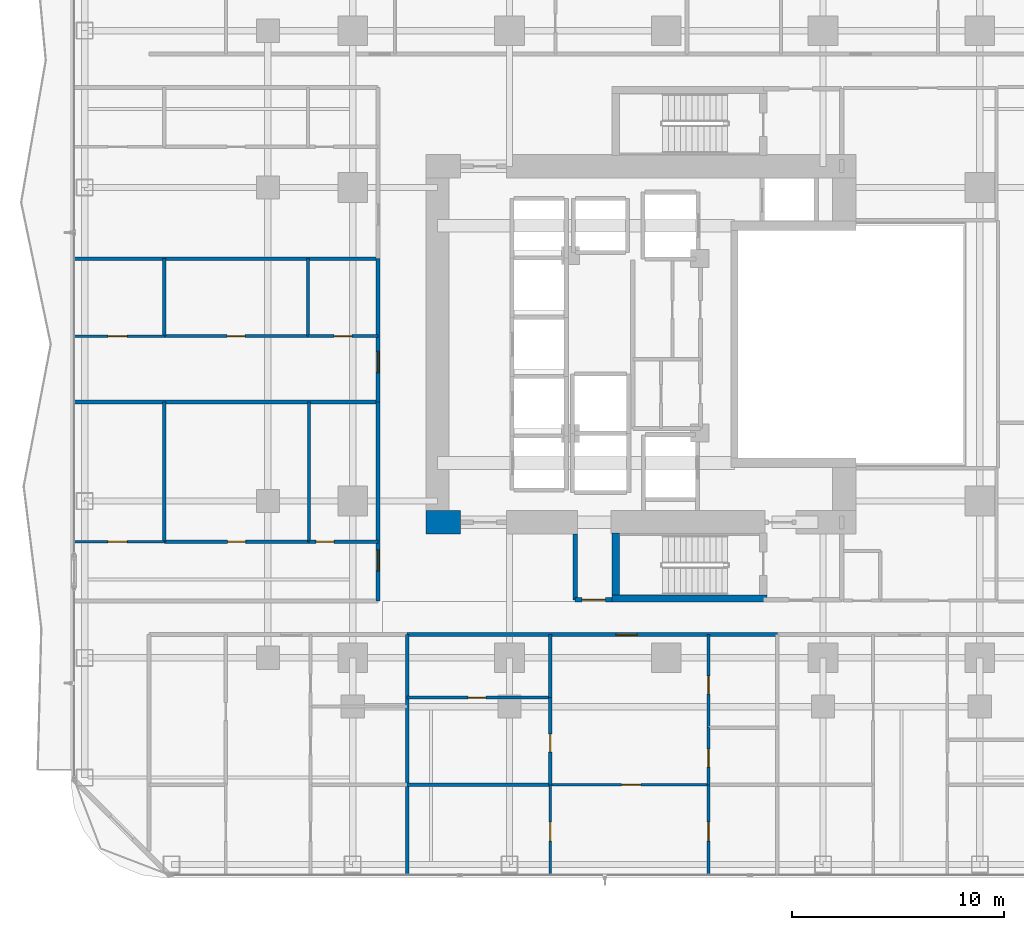
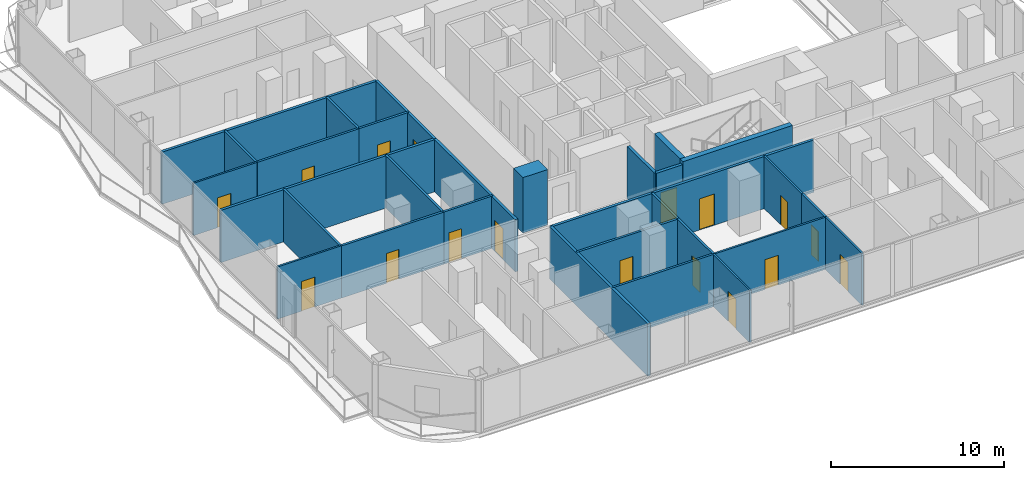
# One storey, part 20 of 30: 30 walls, 17 doors, 17 openings.
"""IFC4 building model written with IfcOpenShell, lengths in metres."""

import ifcopenshell
import ifcopenshell.guid

model = None  # the IFC model being written
_history = None  # IfcOwnerHistory: only IFC2X3 demands one
_inside = {}  # id of a spatial element -> (the spatial element, [elements in it])
_under = {}  # id of a project, library or spatial element -> (it, [spatial elements below it])
_declared = {}  # id of a project -> (the project, [libraries it declares])
_typed = {}  # id of a type object -> (the type object, [elements of that type])
_made_of = {}  # id of a material, layer set ... -> (it, [elements and type objects made of it])


def new_model(schema):
    """Start an empty IFC model of exactly this schema.

    Asked for "IFC4X3", IfcOpenShell would pick the latest addendum, in which some entities
    have other attributes; the version numbers below select the first issue.
    IFC2X3 requires an IfcOwnerHistory on every rooted entity: one is made here for all.
    """
    global model, _history
    if schema == "IFC4X3":
        model = ifcopenshell.file(schema_version=(4, 3, 0, 0))
    else:
        model = ifcopenshell.file(schema=schema)
    _inside.clear()
    _under.clear()
    _declared.clear()
    _typed.clear()
    _made_of.clear()
    _history = None
    if model.schema == "IFC2X3":
        org = make("IfcOrganization", Name="unknown")
        user = make(
            "IfcPersonAndOrganization",
            ThePerson=make("IfcPerson", FamilyName="unknown"),
            TheOrganization=org,
        )
        app = make(
            "IfcApplication",
            ApplicationDeveloper=org,
            Version="unknown",
            ApplicationFullName="unknown",
            ApplicationIdentifier="unknown",
        )
        _history = make(
            "IfcOwnerHistory",
            OwningUser=user,
            OwningApplication=app,
            ChangeAction="ADDED",
            CreationDate=0,
        )
    return model


def make(cls, **values):
    """One entity of the class cls with the attributes given. An attribute that is None is left unset."""
    return model.create_entity(
        cls, **{name: value for name, value in values.items() if value is not None}
    )


def rooted(cls, **values):
    """An entity with a GlobalId (a new one), such as an element, a storey or a relation."""
    return make(cls, GlobalId=ifcopenshell.guid.new(), OwnerHistory=_history, **values)


def si_unit(unit_type, name, prefix=None):
    """IfcSIUnit, for example si_unit("LENGTHUNIT", "METRE", prefix="MILLI")."""
    return make("IfcSIUnit", UnitType=unit_type, Prefix=prefix, Name=name)


def assignment(units):
    """IfcUnitAssignment: the units of a project."""
    return None if units is None else make("IfcUnitAssignment", Units=units)


def point(xyz):
    """IfcCartesianPoint."""
    return None if xyz is None else make("IfcCartesianPoint", Coordinates=xyz)


def direction(xyz):
    """IfcDirection."""
    return None if xyz is None else make("IfcDirection", DirectionRatios=xyz)


def frame(location, z_axis=None, x_axis=None):
    """IfcAxis2Placement3D, a coordinate frame: its origin and axes. An axis left out is left unset."""
    return make(
        "IfcAxis2Placement3D",
        Location=point(location),
        Axis=direction(z_axis),
        RefDirection=direction(x_axis),
    )


def frame_2d(location, x_axis=None):
    """IfcAxis2Placement2D, a coordinate frame in the plane: its origin and x axis."""
    return make(
        "IfcAxis2Placement2D", Location=point(location), RefDirection=direction(x_axis)
    )


def origin():
    """The frame at (0, 0, 0) with its axes left unset."""
    return frame((0.0, 0.0, 0.0))


def place(relative_to, where):
    """IfcLocalPlacement: puts the frame where relative to a parent placement (None: the world)."""
    return make(
        "IfcLocalPlacement", PlacementRelTo=relative_to, RelativePlacement=where
    )


def context(
    kind, dimensions, precision=None, world=None, true_north=None, identifier=None
):
    """IfcGeometricRepresentationContext, for example the 3D "Model" context."""
    return make(
        "IfcGeometricRepresentationContext",
        ContextIdentifier=identifier,
        ContextType=kind,
        CoordinateSpaceDimension=dimensions,
        Precision=precision,
        WorldCoordinateSystem=world,
        TrueNorth=true_north,
    )


def subcontext(parent, identifier, kind, view, scale=None):
    """IfcGeometricRepresentationSubContext, for example "Body" below "Model"."""
    return make(
        "IfcGeometricRepresentationSubContext",
        ContextIdentifier=identifier,
        ContextType=kind,
        ParentContext=parent,
        TargetScale=scale,
        TargetView=view,
    )


def project(units=None, contexts=None):
    """IfcProject with its units and contexts."""
    return rooted(
        "IfcProject",
        Name="project",
        RepresentationContexts=contexts,
        UnitsInContext=assignment(units),
    )


def spatial(cls, under=None, at=None, **own):
    """A site, building, storey or space (cls), placed at a placement, below another one or the project."""
    s = rooted(cls, ObjectPlacement=at, **own)
    if under is not None:
        _under.setdefault(under.id(), (under, []))[1].append(s)
    return s


def profile(cls, at=None, kind="AREA", **sizes):
    """A parametric profile (cls). Its sizes go by their IFC names, for example OverallWidth=200.0."""
    return make(cls, ProfileType=kind, Position=at, **sizes)


def rectangle(**sizes):
    """IfcRectangleProfileDef."""
    return profile("IfcRectangleProfileDef", **sizes)


def extrude(swept, where, along, depth):
    """IfcExtrudedAreaSolid: the profile swept, set in the frame where, extruded along a direction by depth."""
    return make(
        "IfcExtrudedAreaSolid",
        SweptArea=swept,
        Position=where,
        ExtrudedDirection=direction(along),
        Depth=depth,
    )


def shape(context_of_items, identifier, shape_type, items):
    """IfcShapeRepresentation: the items that make up one representation, for example the "Body"."""
    return make(
        "IfcShapeRepresentation",
        ContextOfItems=context_of_items,
        RepresentationIdentifier=identifier,
        RepresentationType=shape_type,
        Items=items,
    )


def material(Name=None, Category=None):
    """IfcMaterial."""
    return make("IfcMaterial", Name=Name, Category=Category)


def layer(
    of_material, thickness, ventilated=None, Name=None, Category=None, Priority=None
):
    """IfcMaterialLayer: one layer of a wall or slab, of a material (None: an air gap)."""
    return make(
        "IfcMaterialLayer",
        Material=of_material,
        LayerThickness=thickness,
        IsVentilated=ventilated,
        Name=Name,
        Category=Category,
        Priority=Priority,
    )


def layer_set(layers, Name=None):
    """IfcMaterialLayerSet."""
    return make("IfcMaterialLayerSet", MaterialLayers=layers, LayerSetName=Name)


def made_of(thing, what):
    """Note that an element or type object is made of a material, layer set ...; save() writes the relation."""
    if what is not None:
        _made_of.setdefault(what.id(), (what, []))[1].append(thing)
    return thing


def type_object(cls, material=None, **own):
    """A type object (cls), such as IfcWallType, which elements share."""
    return made_of(rooted(cls, **own), material)


def element(
    cls,
    number,
    at=None,
    inside=None,
    cuts=None,
    type_object=None,
    material=None,
    context=None,
    identifier="Body",
    shape_type=None,
    held_by="IfcProductDefinitionShape",
    body=None,
    shapes=None,
    **own,
):
    """One element of the class cls, such as IfcWall. Its Tag is "e" and its number.

    at: its placement. inside: the storey or other place that contains it. cuts: it is an
    opening in that element (IfcRelVoidsElement). A single representation is given by context,
    identifier, shape_type and body (its items); several are given by shapes. held_by: the class
    of the entity that holds the representations. save() writes the other relations.
    """
    e = rooted(cls, Tag="e%d" % number, ObjectPlacement=at, **own)
    if body is not None:
        shapes = [shape(context, identifier, shape_type, body)]
    if shapes is not None:
        e.Representation = make(held_by, Representations=shapes)
    if inside is not None:
        _inside.setdefault(inside.id(), (inside, []))[1].append(e)
    if cuts is not None:
        rooted(
            "IfcRelVoidsElement", RelatingBuildingElement=cuts, RelatedOpeningElement=e
        )
    if type_object is not None:
        _typed.setdefault(type_object.id(), (type_object, []))[1].append(e)
    return made_of(e, material)


def fill(opening, filler):
    """IfcRelFillsElement: the door or window that sits in an opening."""
    return rooted(
        "IfcRelFillsElement",
        RelatingOpeningElement=opening,
        RelatedBuildingElement=filler,
    )


def aggregate(whole, parts):
    """IfcRelAggregates: a whole, such as a stair, and the parts it consists of."""
    return rooted("IfcRelAggregates", RelatingObject=whole, RelatedObjects=parts)


def save(model, path):
    """Write the relations noted so far, then the file.

    IfcRelAggregates (storeys below a building ...), IfcRelContainedInSpatialStructure (elements
    in a storey), IfcRelDefinesByType, IfcRelAssociatesMaterial and IfcRelDeclares: one each for
    every whole, place, type object, material and project.
    """
    for whole, parts in _under.values():
        aggregate(whole, parts)
    for where, things in _inside.values():
        rooted(
            "IfcRelContainedInSpatialStructure",
            RelatedElements=things,
            RelatingStructure=where,
        )
    for kind, things in _typed.values():
        rooted("IfcRelDefinesByType", RelatedObjects=things, RelatingType=kind)
    for what, things in _made_of.values():
        rooted("IfcRelAssociatesMaterial", RelatedObjects=things, RelatingMaterial=what)
    for by, libraries in _declared.values():
        rooted("IfcRelDeclares", RelatingContext=by, RelatedDefinitions=libraries)
    model.write(path)


model = new_model("IFC4")

# Units and contexts
model_context = context("Model", 3, precision=1e-05, world=origin(), true_north=direction((0.0, 1.0)))
body_context = subcontext(model_context, "Body", "Model", "MODEL_VIEW")
ifc_project = project(units=[si_unit("LENGTHUNIT", "METRE"), si_unit("AREAUNIT", "SQUARE_METRE"), si_unit("VOLUMEUNIT", "CUBIC_METRE"), si_unit("PLANEANGLEUNIT", "RADIAN"), si_unit("MASSUNIT", "GRAM", prefix="KILO")], contexts=[model_context])

# Site, building, storey
site_placement = place(None, origin())
site = spatial("IfcSite", under=ifc_project, at=site_placement, CompositionType="ELEMENT")
building_placement = place(site_placement, origin())
building = spatial("IfcBuilding", under=site, at=building_placement, Name="Khorvyn Point Tower", CompositionType="ELEMENT")
storey_placement = place(building_placement, frame((0.0, 0.0, 57.89990234375)))
storey = spatial("IfcBuildingStorey", under=building, at=storey_placement, Name="L15", CompositionType="ELEMENT", Elevation=57.89990234375)

# Wall, opening, door
ifc_material_1 = material(Name="Double acoustic gypsum on twin steel stud", Category="steel")
ifc_layer_1 = layer(ifc_material_1, 0.179931640625)
ifc_layer_set_1 = layer_set([ifc_layer_1], Name="Acoustic Double-Stud Apartment Demising Wall 180")
wall_type_1 = type_object("IfcWallType", Name="Acoustic Double-Stud Apartment Demising Wall 180", PredefinedType="PARTITIONING", material=ifc_layer_set_1)
wall_1_placement = place(storey_placement, frame((-12.22509765625, -13.699951171875, 0.0), z_axis=(0.0, 0.0, 1.0), x_axis=(1.0, 0.0, 0.0)))
wall_1 = element("IfcWall", 1, at=wall_1_placement, inside=storey, type_object=wall_type_1, Name="Wall", PredefinedType="PARTITIONING", context=body_context, shape_type="SweptSolid", body=[
    extrude(rectangle(XDim=17.467041015625, YDim=0.179931640625, at=frame_2d((8.7333984375, 0.0))), origin(), (0.0, 0.0, 1.0), 3.68017578125),
])
opening_1_placement = place(wall_1_placement, frame((9.84814453125, 0.0, 0.0)))
opening_1 = element("IfcOpeningElement", 2, at=opening_1_placement, cuts=wall_1, Name="Opening ID-AP60", PredefinedType="OPENING", context=body_context, shape_type="SweptSolid", body=[
    extrude(rectangle(XDim=1.0, YDim=2.199951171875, at=frame_2d((0.5, 1.10009765625))), frame((0.0, 0.099853515625, 0.0), z_axis=(0.0, -1.0, 0.0), x_axis=(1.0, 0.0, 0.0)), (0.0, 0.0, 1.0), 0.199951171875),
])
ifc_material_2 = material(Name="Engineered hardwood fire-rated leaf", Category="wood")
door_type_1 = type_object("IfcDoorType", Name="Acoustic Solid-Core Timber Apartment Entrance Door 1000x2200", OperationType="NOTDEFINED", PredefinedType="DOOR", material=ifc_material_2)
door_1_placement = place(opening_1_placement, origin())
door_1 = element("IfcDoor", 3, at=door_1_placement, inside=storey, type_object=door_type_1, Name="Door", OperationType="SINGLE_SWING_LEFT", OverallHeight=2.199951171875, OverallWidth=1.0, PredefinedType="DOOR", context=body_context, shape_type="SweptSolid", body=[
    extrude(rectangle(XDim=1.0, YDim=2.199951171875, at=frame_2d((0.5, 1.10009765625))), frame((0.0, 0.02490234375, 0.0), z_axis=(0.0, -1.0, 0.0), x_axis=(1.0, 0.0, 0.0)), (0.0, 0.0, 1.0), 0.050048828125),
])
fill(opening_1, door_1)

wall_2_placement = place(storey_placement, frame((-13.60009765625, -12.1201171875, 0.0), z_axis=(0.0, 0.0, 1.0), x_axis=(0.0, 1.0, 0.0)))
wall_2 = element("IfcWall", 4, at=wall_2_placement, inside=storey, type_object=wall_type_1, Name="Wall", PredefinedType="PARTITIONING", context=body_context, shape_type="SweptSolid", body=[
    extrude(rectangle(XDim=9.38916015625, YDim=0.179931640625, at=frame_2d((4.694580078125, 0.0))), origin(), (0.0, 0.0, 1.0), 3.68017578125),
])
opening_2_placement = place(wall_2_placement, frame((1.415283203125, 0.0, 0.0)))
opening_2 = element("IfcOpeningElement", 5, at=opening_2_placement, cuts=wall_2, Name="Opening ID-AP60", PredefinedType="OPENING", context=body_context, shape_type="SweptSolid", body=[
    extrude(rectangle(XDim=1.0, YDim=2.199951171875, at=frame_2d((0.5, 1.10009765625))), frame((0.0, 0.099853515625, 0.0), z_axis=(0.0, -1.0, 0.0), x_axis=(1.0, 0.0, 0.0)), (0.0, 0.0, 1.0), 0.199951171875),
])
door_2_placement = place(opening_2_placement, origin())
door_2 = element("IfcDoor", 6, at=door_2_placement, inside=storey, type_object=door_type_1, Name="Door", OperationType="SINGLE_SWING_LEFT", OverallHeight=2.199951171875, OverallWidth=1.0, PredefinedType="DOOR", context=body_context, shape_type="SweptSolid", body=[
    extrude(rectangle(XDim=1.0, YDim=2.199951171875, at=frame_2d((0.5, 1.10009765625))), frame((0.0, 0.02490234375, 0.0), z_axis=(0.0, -1.0, 0.0), x_axis=(1.0, 0.0, 0.0)), (0.0, 0.0, 1.0), 0.050048828125),
])
fill(opening_2, door_2)

wall_3_placement = place(storey_placement, frame((-13.60009765625, -2.73095703125, 0.0), z_axis=(0.0, 0.0, 1.0), x_axis=(0.0, 1.0, 0.0)))
wall_3 = element("IfcWall", 7, at=wall_3_placement, inside=storey, type_object=wall_type_1, Name="Wall", PredefinedType="PARTITIONING", context=body_context, shape_type="SweptSolid", body=[
    extrude(rectangle(XDim=6.77099609375, YDim=0.179931640625, at=frame_2d((3.385498046875, 0.0))), origin(), (0.0, 0.0, 1.0), 3.68017578125),
])
opening_3_placement = place(wall_3_placement, frame((1.390869140625, 0.0, 0.0)))
opening_3 = element("IfcOpeningElement", 8, at=opening_3_placement, cuts=wall_3, Name="Opening ID-AP60", PredefinedType="OPENING", context=body_context, shape_type="SweptSolid", body=[
    extrude(rectangle(XDim=1.0, YDim=2.199951171875, at=frame_2d((0.5, 1.10009765625))), frame((0.0, 0.099853515625, 0.0), z_axis=(0.0, -1.0, 0.0), x_axis=(1.0, 0.0, 0.0)), (0.0, 0.0, 1.0), 0.199951171875),
])
door_3_placement = place(opening_3_placement, origin())
door_3 = element("IfcDoor", 9, at=door_3_placement, inside=storey, type_object=door_type_1, Name="Door", OperationType="SINGLE_SWING_LEFT", OverallHeight=2.199951171875, OverallWidth=1.0, PredefinedType="DOOR", context=body_context, shape_type="SweptSolid", body=[
    extrude(rectangle(XDim=1.0, YDim=2.199951171875, at=frame_2d((0.5, 1.10009765625))), frame((0.0, 0.02490234375, 0.0), z_axis=(0.0, -1.0, 0.0), x_axis=(1.0, 0.0, 0.0)), (0.0, 0.0, 1.0), 0.050048828125),
])
fill(opening_3, door_3)

# Walls
wall_4_placement = place(storey_placement, frame((-12.22509765625, -25.030029296875, 0.0), z_axis=(0.0, 0.0, 1.0), x_axis=(0.0, 1.0, 0.0)))
element("IfcWall", 10, at=wall_4_placement, inside=storey, type_object=wall_type_1, Name="Wall", PredefinedType="PARTITIONING", context=body_context, shape_type="SweptSolid", body=[
    extrude(rectangle(XDim=11.330078125, YDim=0.179931640625, at=frame_2d((5.6650390625, 0.0))), origin(), (0.0, 0.0, 1.0), 3.68017578125),
])
for number, where, z_axis, x_axis, name in (
    (11, (-27.929931640625, -2.73095703125, 0.0), (0.0, 0.0, 1.0), (1.0, 0.0, 0.0), "Wall"),
    (12, (-27.929931640625, 4.0400390625, 0.0), (0.0, 0.0, 1.0), (1.0, 0.0, 0.0), "Wall"),
):
    element("IfcWall", number, at=place(storey_placement, frame(where, z_axis=z_axis, x_axis=x_axis)), inside=storey, type_object=wall_type_1, Name=name, PredefinedType="PARTITIONING", context=body_context, shape_type="SweptSolid", body=[
        extrude(rectangle(XDim=14.329833984375, YDim=0.179931640625, at=frame_2d((7.1650390625, 0.0))), origin(), (0.0, 0.0, 1.0), 3.68017578125),
    ])

# Wall, opening, door
ifc_material_3 = material(Name="Concrete C40/50", Category="concrete")
ifc_layer_2 = layer(ifc_material_3, 0.199951171875)
ifc_layer_set_2 = layer_set([ifc_layer_2], Name="Concrete C40/50 Fire-Lobby Compartment Wall 200")
wall_type_2 = type_object("IfcWallType", Name="Concrete C40/50 Fire-Lobby Compartment Wall 200", PredefinedType="SOLIDWALL", material=ifc_layer_set_2)
wall_5_placement = place(storey_placement, frame((-4.300048828125, -12.06005859375, 0.0), z_axis=(0.0, 0.0, 1.0), x_axis=(1.0, 0.0, 0.0)))
wall_5 = element("IfcWall", 13, at=wall_5_placement, inside=storey, type_object=wall_type_2, Name="Wall", PredefinedType="SOLIDWALL", context=body_context, shape_type="SweptSolid", body=[
    extrude(rectangle(XDim=1.75, YDim=0.199951171875, at=frame_2d((0.875, 0.0))), origin(), (0.0, 0.0, 1.0), 3.68017578125),
])
opening_4_placement = place(wall_5_placement, frame((0.324951171875, 0.0, 0.0)))
opening_4 = element("IfcOpeningElement", 14, at=opening_4_placement, cuts=wall_5, Name="Opening ID-FL90", PredefinedType="OPENING", context=body_context, shape_type="SweptSolid", body=[
    extrude(rectangle(XDim=1.10009765625, YDim=2.14990234375, at=frame_2d((0.550048828125, 1.074951171875))), frame((0.0, 0.10986328125, 0.0), z_axis=(0.0, -1.0, 0.0), x_axis=(1.0, 0.0, 0.0)), (0.0, 0.0, 1.0), 0.219970703125),
])
ifc_material_4 = material(Name="Galvanised powder-coated steel", Category="steel")
door_type_2 = type_object("IfcDoorType", Name="Fire-Rated Steel Lobby and Stair Door 1100x2150", OperationType="NOTDEFINED", PredefinedType="DOOR", material=ifc_material_4)
door_4_placement = place(opening_4_placement, origin())
door_4 = element("IfcDoor", 15, at=door_4_placement, inside=storey, type_object=door_type_2, Name="Door", OperationType="SINGLE_SWING_LEFT", OverallHeight=2.14990234375, OverallWidth=1.10009765625, PredefinedType="DOOR", context=body_context, shape_type="SweptSolid", body=[
    extrude(rectangle(XDim=1.10009765625, YDim=2.14990234375, at=frame_2d((0.550048828125, 1.074951171875))), frame((0.0, 0.02490234375, 0.0), z_axis=(0.0, -1.0, 0.0), x_axis=(1.0, 0.0, 0.0)), (0.0, 0.0, 1.0), 0.050048828125),
])
fill(opening_4, door_4)

# Walls
wall_6_placement = place(storey_placement, frame((-4.300048828125, -12.06005859375, 0.0), z_axis=(0.0, 0.0, 1.0), x_axis=(0.0, 1.0, 0.0)))
element("IfcWall", 16, at=wall_6_placement, inside=storey, type_object=wall_type_2, Name="Wall", PredefinedType="SOLIDWALL", context=body_context, shape_type="SweptSolid", body=[
    extrude(rectangle(XDim=3.110107421875, YDim=0.199951171875, at=frame_2d((1.55517578125, 0.0))), origin(), (0.0, 0.0, 1.0), 3.68017578125),
])
ifc_layer_3 = layer(ifc_material_3, 0.35009765625)
ifc_layer_set_3 = layer_set([ifc_layer_3], Name="Concrete C40/50 Stair Shaft Structural Wall 350")
wall_type_3 = type_object("IfcWallType", Name="Concrete C40/50 Stair Shaft Structural Wall 350", PredefinedType="SHEAR", material=ifc_layer_set_3)
wall_7_placement = place(storey_placement, frame((-2.554931640625, -12.0, 0.0), z_axis=(0.0, 0.0, 1.0), x_axis=(1.0, 0.0, 0.0)))
element("IfcWall", 17, at=wall_7_placement, inside=storey, type_object=wall_type_3, Name="L15 ST-01 South Shaft Wall", PredefinedType="SHEAR", context=body_context, shape_type="SweptSolid", body=[
    extrude(rectangle(XDim=7.309814453125, YDim=0.35009765625, at=frame_2d((3.65478515625, 0.0))), origin(), (0.0, 0.0, 1.0), 3.900146484375),
])
wall_8_placement = place(storey_placement, frame((-2.3798828125, -11.824951171875, 0.0), z_axis=(0.0, 0.0, 1.0), x_axis=(0.0, 1.0, 0.0)))
element("IfcWall", 18, at=wall_8_placement, inside=storey, type_object=wall_type_3, Name="L15 ST-01 West Shaft Wall", PredefinedType="SHEAR", context=body_context, shape_type="SweptSolid", body=[
    extrude(rectangle(XDim=2.925048828125, YDim=0.35009765625, at=frame_2d((1.46240234375, 0.0))), origin(), (0.0, 0.0, 1.0), 3.900146484375),
])
ifc_material_5 = material(Name="Concrete C50/60", Category="concrete")
ifc_layer_4 = layer(ifc_material_5, 1.10009765625)
ifc_layer_set_4 = layer_set([ifc_layer_4], Name="Concrete C50/60 Core Shear Wall 1100")
wall_type_4 = type_object("IfcWallType", Name="Concrete C50/60 Core Shear Wall 1100", PredefinedType="SHEAR", material=ifc_layer_set_4)
wall_9_placement = place(storey_placement, frame((-11.35009765625, -8.39990234375, 0.0), z_axis=(0.0, 0.0, 1.0), x_axis=(1.0, 0.0, 0.0)))
element("IfcWall", 19, at=wall_9_placement, inside=storey, type_object=wall_type_4, Name="Wall", PredefinedType="SHEAR", context=body_context, shape_type="SweptSolid", body=[
    extrude(rectangle(XDim=1.650146484375, YDim=1.10009765625, at=frame_2d((0.8251953125, 0.0))), origin(), (0.0, 0.0, 1.0), 3.900146484375),
])

# Wall, opening, door
ifc_material_6 = material(Name="Gypsum plasterboard on steel stud", Category="steel")
ifc_layer_5 = layer(ifc_material_6, 0.1201171875)
ifc_layer_set_5 = layer_set([ifc_layer_5], Name="Gypsum Acoustic Stud Room Partition Wall 120")
wall_type_5 = type_object("IfcWallType", Name="Gypsum Acoustic Stud Room Partition Wall 120", PredefinedType="PARTITIONING", material=ifc_layer_set_5)
wall_10_placement = place(storey_placement, frame((-5.47705078125, -20.7900390625, 0.0), z_axis=(0.0, 0.0, 1.0), x_axis=(1.0, 0.0, 0.0)))
wall_10 = element("IfcWall", 20, at=wall_10_placement, inside=storey, type_object=wall_type_5, Name="Wall", PredefinedType="PARTITIONING", context=body_context, shape_type="SweptSolid", body=[
    extrude(rectangle(XDim=7.470947265625, YDim=0.1201171875, at=frame_2d((3.7353515625, 0.0))), origin(), (0.0, 0.0, 1.0), 3.68017578125),
])
opening_5_placement = place(wall_10_placement, frame((3.374755859375, 0.0, 0.0)))
opening_5 = element("IfcOpeningElement", 21, at=opening_5_placement, cuts=wall_10, Name="Opening ID-RM90", PredefinedType="OPENING", context=body_context, shape_type="SweptSolid", body=[
    extrude(rectangle(XDim=0.89990234375, YDim=2.10009765625, at=frame_2d((0.449951171875, 1.050048828125))), frame((0.0, 0.070068359375, 0.0), z_axis=(0.0, -1.0, 0.0), x_axis=(1.0, 0.0, 0.0)), (0.0, 0.0, 1.0), 0.14013671875),
])
ifc_material_7 = material(Name="Engineered oak veneer timber", Category="wood")
door_type_3 = type_object("IfcDoorType", Name="Flush Engineered Timber Room Door 900x2100", OperationType="NOTDEFINED", PredefinedType="DOOR", material=ifc_material_7)
door_5_placement = place(opening_5_placement, origin())
door_5 = element("IfcDoor", 22, at=door_5_placement, inside=storey, type_object=door_type_3, Name="Door", OperationType="SINGLE_SWING_RIGHT", OverallHeight=2.10009765625, OverallWidth=0.89990234375, PredefinedType="DOOR", context=body_context, shape_type="SweptSolid", body=[
    extrude(rectangle(XDim=0.89990234375, YDim=2.10009765625, at=frame_2d((0.449951171875, 1.050048828125))), frame((0.0, 0.02490234375, 0.0), z_axis=(0.0, -1.0, 0.0), x_axis=(1.0, 0.0, 0.0)), (0.0, 0.0, 1.0), 0.050048828125),
])
fill(opening_5, door_5)

wall_11_placement = place(storey_placement, frame((-5.47705078125, -25.030029296875, 0.0), z_axis=(0.0, 0.0, 1.0), x_axis=(0.0, 1.0, 0.0)))
wall_11 = element("IfcWall", 23, at=wall_11_placement, inside=storey, type_object=wall_type_5, Name="Wall", PredefinedType="PARTITIONING", context=body_context, shape_type="SweptSolid", body=[
    extrude(rectangle(XDim=4.239990234375, YDim=0.1201171875, at=frame_2d((2.1201171875, 0.0))), origin(), (0.0, 0.0, 1.0), 3.68017578125),
])
opening_6_placement = place(wall_11_placement, frame((1.581298828125, 0.0, 0.0)))
opening_6 = element("IfcOpeningElement", 24, at=opening_6_placement, cuts=wall_11, Name="Opening ID-RM90", PredefinedType="OPENING", context=body_context, shape_type="SweptSolid", body=[
    extrude(rectangle(XDim=0.89990234375, YDim=2.10009765625, at=frame_2d((0.449951171875, 1.050048828125))), frame((0.0, 0.070068359375, 0.0), z_axis=(0.0, -1.0, 0.0), x_axis=(1.0, 0.0, 0.0)), (0.0, 0.0, 1.0), 0.14013671875),
])
door_6_placement = place(opening_6_placement, origin())
door_6 = element("IfcDoor", 25, at=door_6_placement, inside=storey, type_object=door_type_3, Name="Door", OperationType="SINGLE_SWING_LEFT", OverallHeight=2.10009765625, OverallWidth=0.89990234375, PredefinedType="DOOR", context=body_context, shape_type="SweptSolid", body=[
    extrude(rectangle(XDim=0.89990234375, YDim=2.10009765625, at=frame_2d((0.449951171875, 1.050048828125))), frame((0.0, 0.02490234375, 0.0), z_axis=(0.0, -1.0, 0.0), x_axis=(1.0, 0.0, 0.0)), (0.0, 0.0, 1.0), 0.050048828125),
])
fill(opening_6, door_6)

wall_12_placement = place(storey_placement, frame((1.993896484375, -18.095947265625, 0.0), z_axis=(0.0, 0.0, 1.0), x_axis=(0.0, 1.0, 0.0)))
wall_12 = element("IfcWall", 26, at=wall_12_placement, inside=storey, type_object=wall_type_5, Name="Wall", PredefinedType="PARTITIONING", context=body_context, shape_type="SweptSolid", body=[
    extrude(rectangle(XDim=4.39599609375, YDim=0.1201171875, at=frame_2d((2.197998046875, 0.0))), origin(), (0.0, 0.0, 1.0), 3.68017578125),
])
opening_7_placement = place(wall_12_placement, frame((1.59375, 0.0, 0.0)))
opening_7 = element("IfcOpeningElement", 27, at=opening_7_placement, cuts=wall_12, Name="Opening ID-WC85", PredefinedType="OPENING", context=body_context, shape_type="SweptSolid", body=[
    extrude(rectangle(XDim=0.85009765625, YDim=2.10009765625, at=frame_2d((0.425048828125, 1.050048828125))), frame((0.0, 0.070068359375, 0.0), z_axis=(0.0, -1.0, 0.0), x_axis=(1.0, 0.0, 0.0)), (0.0, 0.0, 1.0), 0.14013671875),
])
ifc_material_8 = material(Name="High-pressure laminate on moisture-resistant core", Category="wood")
door_type_4 = type_object("IfcDoorType", Name="Moisture-Resistant Accessible Washroom Door 850x2100", OperationType="NOTDEFINED", PredefinedType="DOOR", material=ifc_material_8)
door_7_placement = place(opening_7_placement, origin())
door_7 = element("IfcDoor", 28, at=door_7_placement, inside=storey, type_object=door_type_4, Name="Door", OperationType="SINGLE_SWING_LEFT", OverallHeight=2.10009765625, OverallWidth=0.85009765625, PredefinedType="DOOR", context=body_context, shape_type="SweptSolid", body=[
    extrude(rectangle(XDim=0.85009765625, YDim=2.10009765625, at=frame_2d((0.425048828125, 1.050048828125))), frame((0.0, 0.02490234375, 0.0), z_axis=(0.0, -1.0, 0.0), x_axis=(1.0, 0.0, 0.0)), (0.0, 0.0, 1.0), 0.050048828125),
])
fill(opening_7, door_7)

wall_13_placement = place(storey_placement, frame((1.993896484375, -25.030029296875, 0.0), z_axis=(0.0, 0.0, 1.0), x_axis=(0.0, 1.0, 0.0)))
wall_13 = element("IfcWall", 29, at=wall_13_placement, inside=storey, type_object=wall_type_5, Name="Wall", PredefinedType="PARTITIONING", context=body_context, shape_type="SweptSolid", body=[
    extrude(rectangle(XDim=4.239990234375, YDim=0.1201171875, at=frame_2d((2.1201171875, 0.0))), origin(), (0.0, 0.0, 1.0), 3.68017578125),
])
opening_8_placement = place(wall_13_placement, frame((1.581298828125, 0.0, 0.0)))
opening_8 = element("IfcOpeningElement", 30, at=opening_8_placement, cuts=wall_13, Name="Opening ID-RM90", PredefinedType="OPENING", context=body_context, shape_type="SweptSolid", body=[
    extrude(rectangle(XDim=0.89990234375, YDim=2.10009765625, at=frame_2d((0.449951171875, 1.050048828125))), frame((0.0, 0.070068359375, 0.0), z_axis=(0.0, -1.0, 0.0), x_axis=(1.0, 0.0, 0.0)), (0.0, 0.0, 1.0), 0.14013671875),
])
door_8_placement = place(opening_8_placement, origin())
door_8 = element("IfcDoor", 31, at=door_8_placement, inside=storey, type_object=door_type_3, Name="Door", OperationType="SINGLE_SWING_RIGHT", OverallHeight=2.10009765625, OverallWidth=0.89990234375, PredefinedType="DOOR", context=body_context, shape_type="SweptSolid", body=[
    extrude(rectangle(XDim=0.89990234375, YDim=2.10009765625, at=frame_2d((0.449951171875, 1.050048828125))), frame((0.0, 0.02490234375, 0.0), z_axis=(0.0, -1.0, 0.0), x_axis=(1.0, 0.0, 0.0)), (0.0, 0.0, 1.0), 0.050048828125),
])
fill(opening_8, door_8)

wall_14_placement = place(storey_placement, frame((-27.929931640625, -9.320068359375, 0.0), z_axis=(0.0, 0.0, 1.0), x_axis=(1.0, 0.0, 0.0)))
wall_14 = element("IfcWall", 32, at=wall_14_placement, inside=storey, type_object=wall_type_5, Name="Wall", PredefinedType="PARTITIONING", context=body_context, shape_type="SweptSolid", body=[
    extrude(rectangle(XDim=4.239990234375, YDim=0.1201171875, at=frame_2d((2.1201171875, 0.0))), origin(), (0.0, 0.0, 1.0), 3.68017578125),
])
opening_9_placement = place(wall_14_placement, frame((1.581298828125, 0.0, 0.0)))
opening_9 = element("IfcOpeningElement", 33, at=opening_9_placement, cuts=wall_14, Name="Opening ID-RM90", PredefinedType="OPENING", context=body_context, shape_type="SweptSolid", body=[
    extrude(rectangle(XDim=0.89990234375, YDim=2.10009765625, at=frame_2d((0.449951171875, 1.050048828125))), frame((0.0, 0.070068359375, 0.0), z_axis=(0.0, -1.0, 0.0), x_axis=(1.0, 0.0, 0.0)), (0.0, 0.0, 1.0), 0.14013671875),
])
door_9_placement = place(opening_9_placement, origin())
door_9 = element("IfcDoor", 34, at=door_9_placement, inside=storey, type_object=door_type_3, Name="Door", OperationType="SINGLE_SWING_RIGHT", OverallHeight=2.10009765625, OverallWidth=0.89990234375, PredefinedType="DOOR", context=body_context, shape_type="SweptSolid", body=[
    extrude(rectangle(XDim=0.89990234375, YDim=2.10009765625, at=frame_2d((0.449951171875, 1.050048828125))), frame((0.0, 0.02490234375, 0.0), z_axis=(0.0, -1.0, 0.0), x_axis=(1.0, 0.0, 0.0)), (0.0, 0.0, 1.0), 0.050048828125),
])
fill(opening_9, door_9)

wall_15_placement = place(storey_placement, frame((-27.929931640625, 0.384033203125, 0.0), z_axis=(0.0, 0.0, 1.0), x_axis=(1.0, 0.0, 0.0)))
wall_15 = element("IfcWall", 35, at=wall_15_placement, inside=storey, type_object=wall_type_5, Name="Wall", PredefinedType="PARTITIONING", context=body_context, shape_type="SweptSolid", body=[
    extrude(rectangle(XDim=4.239990234375, YDim=0.1201171875, at=frame_2d((2.1201171875, 0.0))), origin(), (0.0, 0.0, 1.0), 3.68017578125),
])
opening_10_placement = place(wall_15_placement, frame((1.581298828125, 0.0, 0.0)))
opening_10 = element("IfcOpeningElement", 36, at=opening_10_placement, cuts=wall_15, Name="Opening ID-RM90", PredefinedType="OPENING", context=body_context, shape_type="SweptSolid", body=[
    extrude(rectangle(XDim=0.89990234375, YDim=2.10009765625, at=frame_2d((0.449951171875, 1.050048828125))), frame((0.0, 0.070068359375, 0.0), z_axis=(0.0, -1.0, 0.0), x_axis=(1.0, 0.0, 0.0)), (0.0, 0.0, 1.0), 0.14013671875),
])
door_10_placement = place(opening_10_placement, origin())
door_10 = element("IfcDoor", 37, at=door_10_placement, inside=storey, type_object=door_type_3, Name="Door", OperationType="SINGLE_SWING_RIGHT", OverallHeight=2.10009765625, OverallWidth=0.89990234375, PredefinedType="DOOR", context=body_context, shape_type="SweptSolid", body=[
    extrude(rectangle(XDim=0.89990234375, YDim=2.10009765625, at=frame_2d((0.449951171875, 1.050048828125))), frame((0.0, 0.02490234375, 0.0), z_axis=(0.0, -1.0, 0.0), x_axis=(1.0, 0.0, 0.0)), (0.0, 0.0, 1.0), 0.050048828125),
])
fill(opening_10, door_10)

ifc_material_9 = material(Name="Moisture-resistant gypsum and cement board", Category="gypsum")
ifc_layer_6 = layer(ifc_material_9, 0.14990234375)
ifc_layer_set_6 = layer_set([ifc_layer_6], Name="Moisture-Resistant Wet-Room Partition Wall 150")
wall_type_6 = type_object("IfcWallType", Name="Moisture-Resistant Wet-Room Partition Wall 150", PredefinedType="PARTITIONING", material=ifc_layer_set_6)
wall_16_placement = place(storey_placement, frame((-5.47705078125, -20.7900390625, 0.0), z_axis=(0.0, 0.0, 1.0), x_axis=(0.0, 1.0, 0.0)))
wall_16 = element("IfcWall", 38, at=wall_16_placement, inside=storey, type_object=wall_type_6, Name="Wall", PredefinedType="PARTITIONING", context=body_context, shape_type="SweptSolid", body=[
    extrude(rectangle(XDim=4.112060546875, YDim=0.14990234375, at=frame_2d((2.05615234375, 0.0))), origin(), (0.0, 0.0, 1.0), 3.68017578125),
])
opening_11_placement = place(wall_16_placement, frame((1.54443359375, 0.0, 0.0)))
opening_11 = element("IfcOpeningElement", 39, at=opening_11_placement, cuts=wall_16, Name="Opening ID-WC85", PredefinedType="OPENING", context=body_context, shape_type="SweptSolid", body=[
    extrude(rectangle(XDim=0.85009765625, YDim=2.10009765625, at=frame_2d((0.425048828125, 1.050048828125))), frame((0.0, 0.0849609375, 0.0), z_axis=(0.0, -1.0, 0.0), x_axis=(1.0, 0.0, 0.0)), (0.0, 0.0, 1.0), 0.169921875),
])
door_11_placement = place(opening_11_placement, origin())
door_11 = element("IfcDoor", 40, at=door_11_placement, inside=storey, type_object=door_type_4, Name="Door", OperationType="SINGLE_SWING_LEFT", OverallHeight=2.10009765625, OverallWidth=0.85009765625, PredefinedType="DOOR", context=body_context, shape_type="SweptSolid", body=[
    extrude(rectangle(XDim=0.85009765625, YDim=2.10009765625, at=frame_2d((0.425048828125, 1.050048828125))), frame((0.0, 0.02490234375, 0.0), z_axis=(0.0, -1.0, 0.0), x_axis=(1.0, 0.0, 0.0)), (0.0, 0.0, 1.0), 0.050048828125),
])
fill(opening_11, door_11)

# Wall
wall_17_placement = place(storey_placement, frame((-5.47705078125, -16.677978515625, 0.0), z_axis=(0.0, 0.0, 1.0), x_axis=(0.0, 1.0, 0.0)))
element("IfcWall", 41, at=wall_17_placement, inside=storey, type_object=wall_type_6, Name="Wall", PredefinedType="PARTITIONING", context=body_context, shape_type="SweptSolid", body=[
    extrude(rectangle(XDim=2.97802734375, YDim=0.14990234375, at=frame_2d((1.489013671875, 0.0))), origin(), (0.0, 0.0, 1.0), 3.68017578125),
])

# Wall, opening, door
wall_18_placement = place(storey_placement, frame((1.993896484375, -20.7900390625, 0.0), z_axis=(0.0, 0.0, 1.0), x_axis=(0.0, 1.0, 0.0)))
wall_18 = element("IfcWall", 42, at=wall_18_placement, inside=storey, type_object=wall_type_6, Name="Wall", PredefinedType="PARTITIONING", context=body_context, shape_type="SweptSolid", body=[
    extrude(rectangle(XDim=2.694091796875, YDim=0.14990234375, at=frame_2d((1.34716796875, 0.0))), origin(), (0.0, 0.0, 1.0), 3.68017578125),
])
opening_12_placement = place(wall_18_placement, frame((0.83740234375, 0.0, 0.0)))
opening_12 = element("IfcOpeningElement", 43, at=opening_12_placement, cuts=wall_18, Name="Opening ID-WC85", PredefinedType="OPENING", context=body_context, shape_type="SweptSolid", body=[
    extrude(rectangle(XDim=0.85009765625, YDim=2.10009765625, at=frame_2d((0.425048828125, 1.050048828125))), frame((0.0, 0.0849609375, 0.0), z_axis=(0.0, -1.0, 0.0), x_axis=(1.0, 0.0, 0.0)), (0.0, 0.0, 1.0), 0.169921875),
])
door_12_placement = place(opening_12_placement, origin())
door_12 = element("IfcDoor", 44, at=door_12_placement, inside=storey, type_object=door_type_4, Name="Door", OperationType="SINGLE_SWING_RIGHT", OverallHeight=2.10009765625, OverallWidth=0.85009765625, PredefinedType="DOOR", context=body_context, shape_type="SweptSolid", body=[
    extrude(rectangle(XDim=0.85009765625, YDim=2.10009765625, at=frame_2d((0.425048828125, 1.050048828125))), frame((0.0, 0.02490234375, 0.0), z_axis=(0.0, -1.0, 0.0), x_axis=(1.0, 0.0, 0.0)), (0.0, 0.0, 1.0), 0.050048828125),
])
fill(opening_12, door_12)

wall_19_placement = place(storey_placement, frame((-23.68994140625, -9.320068359375, 0.0), z_axis=(0.0, 0.0, 1.0), x_axis=(1.0, 0.0, 0.0)))
wall_19 = element("IfcWall", 45, at=wall_19_placement, inside=storey, type_object=wall_type_6, Name="Wall", PredefinedType="PARTITIONING", context=body_context, shape_type="SweptSolid", body=[
    extrude(rectangle(XDim=6.826904296875, YDim=0.14990234375, at=frame_2d((3.41357421875, 0.0))), origin(), (0.0, 0.0, 1.0), 3.68017578125),
])
opening_13_placement = place(wall_19_placement, frame((2.988525390625, 0.0, 0.0)))
opening_13 = element("IfcOpeningElement", 46, at=opening_13_placement, cuts=wall_19, Name="Opening ID-WC85", PredefinedType="OPENING", context=body_context, shape_type="SweptSolid", body=[
    extrude(rectangle(XDim=0.85009765625, YDim=2.10009765625, at=frame_2d((0.425048828125, 1.050048828125))), frame((0.0, 0.0849609375, 0.0), z_axis=(0.0, -1.0, 0.0), x_axis=(1.0, 0.0, 0.0)), (0.0, 0.0, 1.0), 0.169921875),
])
door_13_placement = place(opening_13_placement, origin())
door_13 = element("IfcDoor", 47, at=door_13_placement, inside=storey, type_object=door_type_4, Name="Door", OperationType="SINGLE_SWING_RIGHT", OverallHeight=2.10009765625, OverallWidth=0.85009765625, PredefinedType="DOOR", context=body_context, shape_type="SweptSolid", body=[
    extrude(rectangle(XDim=0.85009765625, YDim=2.10009765625, at=frame_2d((0.425048828125, 1.050048828125))), frame((0.0, 0.02490234375, 0.0), z_axis=(0.0, -1.0, 0.0), x_axis=(1.0, 0.0, 0.0)), (0.0, 0.0, 1.0), 0.050048828125),
])
fill(opening_13, door_13)

wall_20_placement = place(storey_placement, frame((-16.863037109375, -9.320068359375, 0.0), z_axis=(0.0, 0.0, 1.0), x_axis=(1.0, 0.0, 0.0)))
wall_20 = element("IfcWall", 48, at=wall_20_placement, inside=storey, type_object=wall_type_6, Name="Wall", PredefinedType="PARTITIONING", context=body_context, shape_type="SweptSolid", body=[
    extrude(rectangle(XDim=3.262939453125, YDim=0.14990234375, at=frame_2d((1.63134765625, 0.0))), origin(), (0.0, 0.0, 1.0), 3.68017578125),
])
opening_14_placement = place(wall_20_placement, frame((0.33447265625, 0.0, 0.0)))
opening_14 = element("IfcOpeningElement", 49, at=opening_14_placement, cuts=wall_20, Name="Opening ID-WC85", PredefinedType="OPENING", context=body_context, shape_type="SweptSolid", body=[
    extrude(rectangle(XDim=0.85009765625, YDim=2.10009765625, at=frame_2d((0.425048828125, 1.050048828125))), frame((0.0, 0.0849609375, 0.0), z_axis=(0.0, -1.0, 0.0), x_axis=(1.0, 0.0, 0.0)), (0.0, 0.0, 1.0), 0.169921875),
])
door_14_placement = place(opening_14_placement, origin())
door_14 = element("IfcDoor", 50, at=door_14_placement, inside=storey, type_object=door_type_4, Name="Door", OperationType="SINGLE_SWING_LEFT", OverallHeight=2.10009765625, OverallWidth=0.85009765625, PredefinedType="DOOR", context=body_context, shape_type="SweptSolid", body=[
    extrude(rectangle(XDim=0.85009765625, YDim=2.10009765625, at=frame_2d((0.425048828125, 1.050048828125))), frame((0.0, 0.02490234375, 0.0), z_axis=(0.0, -1.0, 0.0), x_axis=(1.0, 0.0, 0.0)), (0.0, 0.0, 1.0), 0.050048828125),
])
fill(opening_14, door_14)

wall_21_placement = place(storey_placement, frame((-23.68994140625, 0.384033203125, 0.0), z_axis=(0.0, 0.0, 1.0), x_axis=(1.0, 0.0, 0.0)))
wall_21 = element("IfcWall", 51, at=wall_21_placement, inside=storey, type_object=wall_type_6, Name="Wall", PredefinedType="PARTITIONING", context=body_context, shape_type="SweptSolid", body=[
    extrude(rectangle(XDim=6.787841796875, YDim=0.14990234375, at=frame_2d((3.39404296875, 0.0))), origin(), (0.0, 0.0, 1.0), 3.68017578125),
])
opening_15_placement = place(wall_21_placement, frame((2.968994140625, 0.0, 0.0)))
opening_15 = element("IfcOpeningElement", 52, at=opening_15_placement, cuts=wall_21, Name="Opening ID-WC85", PredefinedType="OPENING", context=body_context, shape_type="SweptSolid", body=[
    extrude(rectangle(XDim=0.85009765625, YDim=2.10009765625, at=frame_2d((0.425048828125, 1.050048828125))), frame((0.0, 0.0849609375, 0.0), z_axis=(0.0, -1.0, 0.0), x_axis=(1.0, 0.0, 0.0)), (0.0, 0.0, 1.0), 0.169921875),
])
door_15_placement = place(opening_15_placement, origin())
door_15 = element("IfcDoor", 53, at=door_15_placement, inside=storey, type_object=door_type_4, Name="Door", OperationType="SINGLE_SWING_RIGHT", OverallHeight=2.10009765625, OverallWidth=0.85009765625, PredefinedType="DOOR", context=body_context, shape_type="SweptSolid", body=[
    extrude(rectangle(XDim=0.85009765625, YDim=2.10009765625, at=frame_2d((0.425048828125, 1.050048828125))), frame((0.0, 0.02490234375, 0.0), z_axis=(0.0, -1.0, 0.0), x_axis=(1.0, 0.0, 0.0)), (0.0, 0.0, 1.0), 0.050048828125),
])
fill(opening_15, door_15)

wall_22_placement = place(storey_placement, frame((-16.902099609375, 0.384033203125, 0.0), z_axis=(0.0, 0.0, 1.0), x_axis=(1.0, 0.0, 0.0)))
wall_22 = element("IfcWall", 54, at=wall_22_placement, inside=storey, type_object=wall_type_6, Name="Wall", PredefinedType="PARTITIONING", context=body_context, shape_type="SweptSolid", body=[
    extrude(rectangle(XDim=3.302001953125, YDim=0.14990234375, at=frame_2d((1.65087890625, 0.0))), origin(), (0.0, 0.0, 1.0), 3.68017578125),
])
opening_16_placement = place(wall_22_placement, frame((1.22607421875, 0.0, 0.0)))
opening_16 = element("IfcOpeningElement", 55, at=opening_16_placement, cuts=wall_22, Name="Opening ID-WC85", PredefinedType="OPENING", context=body_context, shape_type="SweptSolid", body=[
    extrude(rectangle(XDim=0.85009765625, YDim=2.10009765625, at=frame_2d((0.425048828125, 1.050048828125))), frame((0.0, 0.0849609375, 0.0), z_axis=(0.0, -1.0, 0.0), x_axis=(1.0, 0.0, 0.0)), (0.0, 0.0, 1.0), 0.169921875),
])
door_16_placement = place(opening_16_placement, origin())
door_16 = element("IfcDoor", 56, at=door_16_placement, inside=storey, type_object=door_type_4, Name="Door", OperationType="SINGLE_SWING_LEFT", OverallHeight=2.10009765625, OverallWidth=0.85009765625, PredefinedType="DOOR", context=body_context, shape_type="SweptSolid", body=[
    extrude(rectangle(XDim=0.85009765625, YDim=2.10009765625, at=frame_2d((0.425048828125, 1.050048828125))), frame((0.0, 0.02490234375, 0.0), z_axis=(0.0, -1.0, 0.0), x_axis=(1.0, 0.0, 0.0)), (0.0, 0.0, 1.0), 0.050048828125),
])
fill(opening_16, door_16)

wall_23_placement = place(storey_placement, frame((-12.22509765625, -16.677978515625, 0.0), z_axis=(0.0, 0.0, 1.0), x_axis=(1.0, 0.0, 0.0)))
wall_23 = element("IfcWall", 57, at=wall_23_placement, inside=storey, type_object=wall_type_6, Name="Wall", PredefinedType="PARTITIONING", context=body_context, shape_type="SweptSolid", body=[
    extrude(rectangle(XDim=6.748046875, YDim=0.14990234375, at=frame_2d((3.3740234375, 0.0))), origin(), (0.0, 0.0, 1.0), 3.68017578125),
])
opening_17_placement = place(wall_23_placement, frame((2.85888671875, 0.0, 0.0)))
opening_17 = element("IfcOpeningElement", 58, at=opening_17_placement, cuts=wall_23, Name="Opening ID-WC85", PredefinedType="OPENING", context=body_context, shape_type="SweptSolid", body=[
    extrude(rectangle(XDim=0.85009765625, YDim=2.10009765625, at=frame_2d((0.425048828125, 1.050048828125))), frame((0.0, 0.0849609375, 0.0), z_axis=(0.0, -1.0, 0.0), x_axis=(1.0, 0.0, 0.0)), (0.0, 0.0, 1.0), 0.169921875),
])
door_17_placement = place(opening_17_placement, origin())
door_17 = element("IfcDoor", 59, at=door_17_placement, inside=storey, type_object=door_type_4, Name="Door", OperationType="SINGLE_SWING_RIGHT", OverallHeight=2.10009765625, OverallWidth=0.85009765625, PredefinedType="DOOR", context=body_context, shape_type="SweptSolid", body=[
    extrude(rectangle(XDim=0.85009765625, YDim=2.10009765625, at=frame_2d((0.425048828125, 1.050048828125))), frame((0.0, 0.02490234375, 0.0), z_axis=(0.0, -1.0, 0.0), x_axis=(1.0, 0.0, 0.0)), (0.0, 0.0, 1.0), 0.050048828125),
])
fill(opening_17, door_17)

# Walls
wall_24_placement = place(storey_placement, frame((-12.22509765625, -20.7900390625, 0.0), z_axis=(0.0, 0.0, 1.0), x_axis=(1.0, 0.0, 0.0)))
element("IfcWall", 60, at=wall_24_placement, inside=storey, type_object=wall_type_6, Name="Wall", PredefinedType="PARTITIONING", context=body_context, shape_type="SweptSolid", body=[
    extrude(rectangle(XDim=6.748046875, YDim=0.14990234375, at=frame_2d((3.3740234375, 0.0))), origin(), (0.0, 0.0, 1.0), 3.68017578125),
])
for number, where, z_axis, x_axis, name in (
    (61, (-16.863037109375, -9.320068359375, 0.0), (0.0, 0.0, 1.0), (0.0, 1.0, 0.0), "Wall"),
    (62, (-23.68994140625, -9.320068359375, 0.0), (0.0, 0.0, 1.0), (0.0, 1.0, 0.0), "Wall"),
):
    element("IfcWall", number, at=place(storey_placement, frame(where, z_axis=z_axis, x_axis=x_axis)), inside=storey, type_object=wall_type_6, Name=name, PredefinedType="PARTITIONING", context=body_context, shape_type="SweptSolid", body=[
        extrude(rectangle(XDim=6.589111328125, YDim=0.14990234375, at=frame_2d((3.29443359375, 0.0))), origin(), (0.0, 0.0, 1.0), 3.68017578125),
    ])
for number, where, z_axis, x_axis, name in (
    (63, (-16.902099609375, 0.384033203125, 0.0), (0.0, 0.0, 1.0), (0.0, 1.0, 0.0), "Wall"),
    (64, (-23.68994140625, 0.384033203125, 0.0), (0.0, 0.0, 1.0), (0.0, 1.0, 0.0), "Wall"),
):
    element("IfcWall", number, at=place(storey_placement, frame(where, z_axis=z_axis, x_axis=x_axis)), inside=storey, type_object=wall_type_6, Name=name, PredefinedType="PARTITIONING", context=body_context, shape_type="SweptSolid", body=[
        extrude(rectangle(XDim=3.656005859375, YDim=0.14990234375, at=frame_2d((1.828125, 0.0))), origin(), (0.0, 0.0, 1.0), 3.68017578125),
    ])

save(model, "model.ifc")
